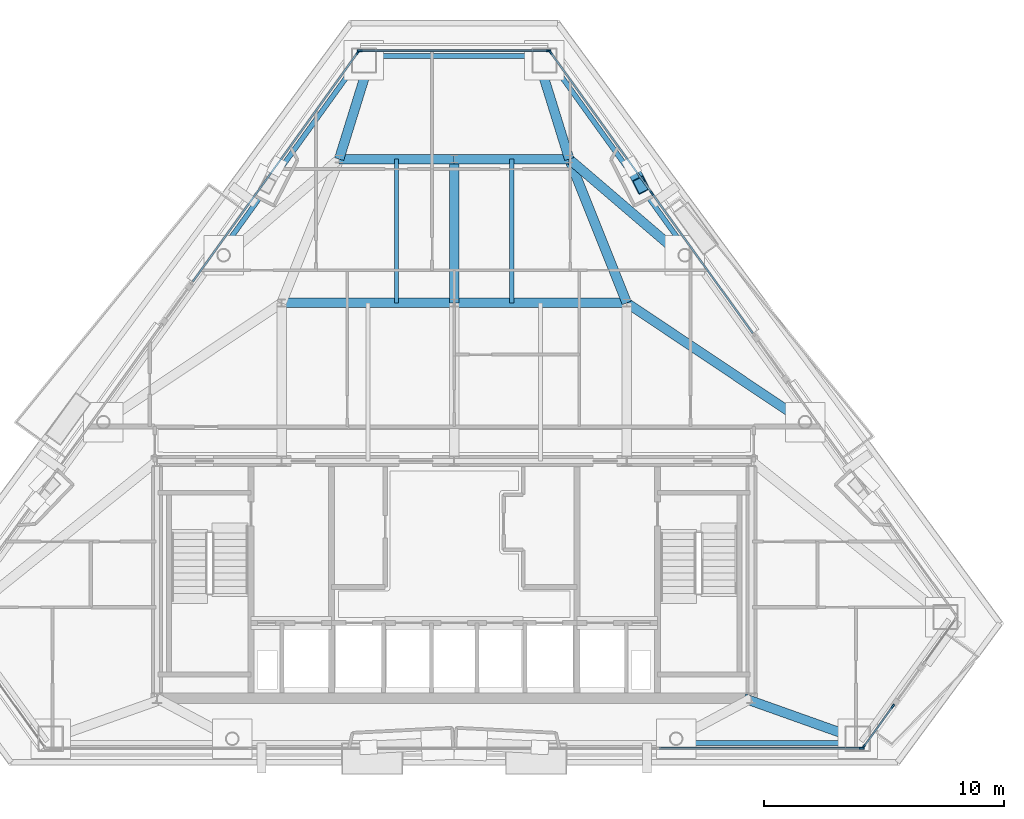
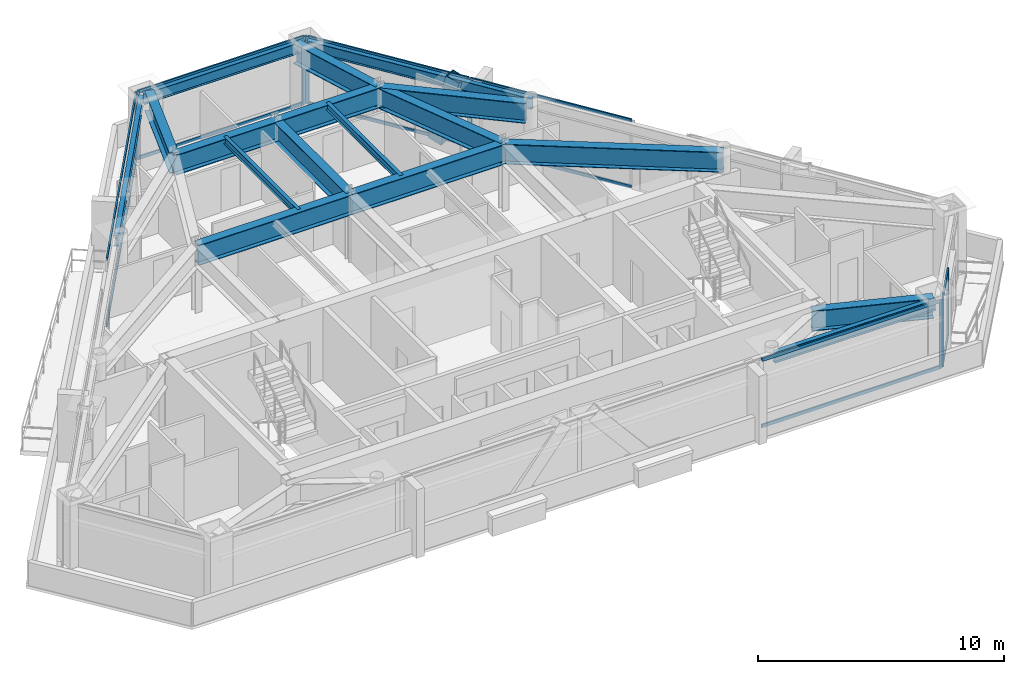
# One storey, part 4 of 11: 21 members, 17 beams, 5 elements without a shape of their own.
"""IFC4 building model written with IfcOpenShell, lengths in metres."""

from ifc_helpers import new_model, si_unit, direction, frame, origin, origin_2d, place, context, subcontext, project, spatial, rectangle, hollow_rectangle, i_section, extrude, material, layer, layer_set, material_profile, profile_set, type_object, element, aggregate, save


model = new_model("IFC4")

# Units and contexts
model_context = context("Model", 3, precision=1e-05, world=origin(), true_north=direction((0.0, 1.0)))
body_context = subcontext(model_context, "Body", "Model", "MODEL_VIEW")
ifc_project = project(units=[si_unit("LENGTHUNIT", "METRE"), si_unit("AREAUNIT", "SQUARE_METRE"), si_unit("VOLUMEUNIT", "CUBIC_METRE"), si_unit("PLANEANGLEUNIT", "RADIAN"), si_unit("MASSUNIT", "GRAM", prefix="KILO")], contexts=[model_context])

# Site, building, storey
site_placement = place(None, origin())
site = spatial("IfcSite", under=ifc_project, at=site_placement, CompositionType="ELEMENT")
building_placement = place(site_placement, origin())
building = spatial("IfcBuilding", under=site, at=building_placement, Name="Talgorran Terracotta Tower", CompositionType="ELEMENT")
storey_placement = place(building_placement, frame((0.0, 0.0, 185.699951171875)))
storey = spatial("IfcBuildingStorey", under=building, at=storey_placement, Name="L48", CompositionType="ELEMENT", Elevation=185.699951171875)

# Beams
ifc_material_1 = material(Name="Steel Grade 350 (350L0)", Category="steel")
ifc_material_profile_1 = material_profile(ifc_material_1, i_section(OverallWidth=0.39990234375, OverallDepth=1.0, WebThickness=0.01611328125, FlangeThickness=0.031005859375, at=origin_2d()), Name="1000WB296")
ifc_profile_set_1 = profile_set([ifc_material_profile_1], Name="Steel Grade 350 (350L0)")
beam_type_1 = type_object("IfcBeamType", Name="BM_1000WB296", PredefinedType="BEAM", material=ifc_profile_set_1)
beam_1_placement = place(storey_placement, frame((16.8359375, -15.78564453125, 2.85009765625), z_axis=(-0.942108352664, 0.335308591958, 0.0), x_axis=(-0.335308591958, -0.942108352664, 0.0)))
element("IfcBeam", 1, at=beam_1_placement, inside=storey, type_object=beam_type_1, Name="L48 Perimeter Step Girder 5", PredefinedType="BEAM", context=body_context, shape_type="SweptSolid", body=[
    extrude(i_section(OverallWidth=0.39990234375, OverallDepth=1.0, WebThickness=0.01611328125, FlangeThickness=0.031005859375, at=origin_2d()), origin(), (0.0, 0.0, 1.0), 5.02685546875),
])
for number, where, z_axis, x_axis, name in (
    (2, (3.4521484375, 12.73876953125, 2.85009765625), (0.296671316766, -0.954979648898, 0.0), (0.954979648898, 0.296671316766, 0.0), "L48 Perimeter Step Girder 9B"),
    (3, (-3.4521484375, 12.73876953125, 2.85009765625), (-0.296671316766, -0.954979648898, 0.0), (0.954979648898, -0.296671316766, 0.0), "L48 Perimeter Step Girder 10B"),
):
    element("IfcBeam", number, at=place(storey_placement, frame(where, z_axis=z_axis, x_axis=x_axis)), inside=storey, type_object=beam_type_1, Name=name, PredefinedType="BEAM", context=body_context, shape_type="SweptSolid", body=[
        extrude(i_section(OverallWidth=0.39990234375, OverallDepth=1.0, WebThickness=0.01611328125, FlangeThickness=0.031005859375, at=origin_2d()), origin(), (0.0, 0.0, 1.0), 4.54345703125),
    ])
for number, where, z_axis, x_axis, name in (
    (4, (-7.199951171875, 2.39990234375, 2.85009765625), (1.0, 0.0, 0.0), (0.0, 1.0, 0.0), "L48 Floor Girder G04"),
    (5, (0.0, 2.39990234375, 2.85009765625), (1.0, 0.0, 0.0), (0.0, 1.0, 0.0), "L48 Floor Girder G05"),
):
    element("IfcBeam", number, at=place(storey_placement, frame(where, z_axis=z_axis, x_axis=x_axis)), inside=storey, type_object=beam_type_1, Name=name, PredefinedType="BEAM", context=body_context, shape_type="SweptSolid", body=[
        extrude(i_section(OverallWidth=0.39990234375, OverallDepth=1.0, WebThickness=0.01611328125, FlangeThickness=0.031005859375, at=origin_2d()), origin(), (0.0, 0.0, 1.0), 7.199951171875),
    ])
beam_2_placement = place(storey_placement, frame((7.199951171875, 2.39990234375, 2.85009765625), z_axis=(0.831121722878, -0.556090533781, 0.0), x_axis=(0.556090533781, 0.831121722878, 0.0)))
element("IfcBeam", 6, at=beam_2_placement, inside=storey, type_object=beam_type_1, Name="L48 Floor Girder G07", PredefinedType="BEAM", context=body_context, shape_type="SweptSolid", body=[
    extrude(i_section(OverallWidth=0.39990234375, OverallDepth=1.0, WebThickness=0.01611328125, FlangeThickness=0.031005859375, at=origin_2d()), origin(), (0.0, 0.0, 1.0), 8.950439453125),
])
beam_3_placement = place(storey_placement, frame((0.0, 2.39990234375, 2.85009765625), z_axis=(0.0, 1.0, 0.0), x_axis=(-1.0, 0.0, 0.0)))
element("IfcBeam", 7, at=beam_3_placement, inside=storey, type_object=beam_type_1, Name="L48 Floor Girder G09", PredefinedType="BEAM", context=body_context, shape_type="SweptSolid", body=[
    extrude(i_section(OverallWidth=0.39990234375, OverallDepth=1.0, WebThickness=0.01611328125, FlangeThickness=0.031005859375, at=origin_2d()), origin(), (0.0, 0.0, 1.0), 6.0),
])
beam_4_placement = place(storey_placement, frame((7.199951171875, 2.39990234375, 2.85009765625), z_axis=(-0.371377648723, 0.928481901832, 0.0), x_axis=(-0.928481901832, -0.371377648723, 0.0)))
element("IfcBeam", 8, at=beam_4_placement, inside=storey, type_object=beam_type_1, Name="L48 Floor Girder G10", PredefinedType="BEAM", context=body_context, shape_type="SweptSolid", body=[
    extrude(i_section(OverallWidth=0.39990234375, OverallDepth=1.0, WebThickness=0.01611328125, FlangeThickness=0.031005859375, at=origin_2d()), origin(), (0.0, 0.0, 1.0), 6.462158203125),
])
for number, where, z_axis, x_axis, name in (
    (9, (-4.800048828125, 8.39990234375, 2.85009765625), (1.0, 0.0, 0.0), (0.0, 1.0, 0.0), "L48 Floor Girder G11"),
    (10, (0.0, 8.39990234375, 2.85009765625), (1.0, 0.0, 0.0), (0.0, 1.0, 0.0), "L48 Floor Girder G12"),
):
    element("IfcBeam", number, at=place(storey_placement, frame(where, z_axis=z_axis, x_axis=x_axis)), inside=storey, type_object=beam_type_1, Name=name, PredefinedType="BEAM", context=body_context, shape_type="SweptSolid", body=[
        extrude(i_section(OverallWidth=0.39990234375, OverallDepth=1.0, WebThickness=0.01611328125, FlangeThickness=0.031005859375, at=origin_2d()), origin(), (0.0, 0.0, 1.0), 4.800048828125),
    ])
beam_5_placement = place(storey_placement, frame((4.800048828125, 8.39990234375, 2.85009765625), z_axis=(0.75920570373, -0.650850750499, 0.0), x_axis=(0.650850750499, 0.75920570373, 0.0)))
element("IfcBeam", 11, at=beam_5_placement, inside=storey, type_object=beam_type_1, Name="L48 Floor Girder G14", PredefinedType="BEAM", context=body_context, shape_type="SweptSolid", body=[
    extrude(i_section(OverallWidth=0.39990234375, OverallDepth=1.0, WebThickness=0.01611328125, FlangeThickness=0.031005859375, at=origin_2d()), origin(), (0.0, 0.0, 1.0), 6.0947265625),
])
ifc_material_2 = material(Name="Steel S355 (300PLUS)", Category="steel")
ifc_material_profile_2 = material_profile(ifc_material_2, i_section(OverallWidth=0.17138671875, OverallDepth=0.355712890625, WebThickness=0.00732421875, FlangeThickness=0.011474609375, at=origin_2d()), Name="360UB50.7")
ifc_profile_set_2 = profile_set([ifc_material_profile_2], Name="Steel S355 (300PLUS)")
beam_type_2 = type_object("IfcBeamType", Name="BM_JS_360UB51", PredefinedType="JOIST", material=ifc_profile_set_2)
for number, where, z_axis, x_axis, name in (
    (12, (-2.39990234375, 2.39990234375, 3.17236328125), (0.0, 1.0, 0.0), (-1.0, 0.0, 0.0), "L48 Secondary Joist J03"),
    (13, (2.39990234375, 2.39990234375, 3.17236328125), (0.0, 1.0, 0.0), (-1.0, 0.0, 0.0), "L48 Secondary Joist J04"),
):
    element("IfcBeam", number, at=place(storey_placement, frame(where, z_axis=z_axis, x_axis=x_axis)), inside=storey, type_object=beam_type_2, Name=name, PredefinedType="JOIST", context=body_context, shape_type="SweptSolid", body=[
        extrude(i_section(OverallWidth=0.17138671875, OverallDepth=0.355712890625, WebThickness=0.00732421875, FlangeThickness=0.011474609375, at=origin_2d()), origin(), (0.0, 0.0, 1.0), 6.0),
    ])
ifc_material_profile_3 = material_profile(ifc_material_2, i_section(OverallWidth=0.209228515625, OverallDepth=0.532958984375, WebThickness=0.01025390625, FlangeThickness=0.015625, at=origin_2d()), Name="530UB92.4")
ifc_profile_set_3 = profile_set([ifc_material_profile_3], Name="Steel S355 (300PLUS)")
beam_type_3 = type_object("IfcBeamType", Name="BM_SP_530UB92", PredefinedType="SPANDREL", material=ifc_profile_set_3)
beam_6_placement = place(storey_placement, frame((9.259765625, -15.965576171875, 3.08349609375), z_axis=(1.0, 0.0, 0.0), x_axis=(0.0, 1.0, 0.0)))
element("IfcBeam", 14, at=beam_6_placement, inside=storey, type_object=beam_type_3, Name="L48 Perimeter Spandrel Beam FC2-MC3", PredefinedType="SPANDREL", context=body_context, shape_type="SweptSolid", body=[
    extrude(i_section(OverallWidth=0.209228515625, OverallDepth=0.532958984375, WebThickness=0.01025390625, FlangeThickness=0.015625, at=origin_2d()), origin(), (0.0, 0.0, 1.0), 7.576171875),
])
beam_7_placement = place(storey_placement, frame((9.7666015625, 4.495849609375, 3.08349609375), z_axis=(-0.584392033232, 0.811471473001, 0.0), x_axis=(-0.811471473001, -0.584392033232, 0.0)))
element("IfcBeam", 15, at=beam_7_placement, inside=storey, type_object=beam_type_3, Name="L48 Perimeter Spandrel Beam FC4-MC5", PredefinedType="SPANDREL", context=body_context, shape_type="SweptSolid", body=[
    extrude(i_section(OverallWidth=0.209228515625, OverallDepth=0.532958984375, WebThickness=0.01025390625, FlangeThickness=0.015625, at=origin_2d()), origin(), (0.0, 0.0, 1.0), 10.01806640625),
])
beam_8_placement = place(storey_placement, frame((3.765869140625, 12.7001953125, 3.08349609375), z_axis=(-1.0, 0.0, 0.0), x_axis=(0.0, -1.0, 0.0)))
element("IfcBeam", 16, at=beam_8_placement, inside=storey, type_object=beam_type_3, Name="L48 Perimeter Spandrel Beam MC5-MC6", PredefinedType="SPANDREL", context=body_context, shape_type="SweptSolid", body=[
    extrude(i_section(OverallWidth=0.209228515625, OverallDepth=0.532958984375, WebThickness=0.01025390625, FlangeThickness=0.015625, at=origin_2d()), origin(), (0.0, 0.0, 1.0), 7.53173828125),
])
beam_9_placement = place(storey_placement, frame((-3.912109375, 12.625244140625, 3.08349609375), z_axis=(-0.584392033232, -0.811471473001, 0.0), x_axis=(0.811471473001, -0.584392033232, 0.0)))
element("IfcBeam", 17, at=beam_9_placement, inside=storey, type_object=beam_type_3, Name="L48 Perimeter Spandrel Beam MC6-FC5", PredefinedType="SPANDREL", context=body_context, shape_type="SweptSolid", body=[
    extrude(i_section(OverallWidth=0.209228515625, OverallDepth=0.532958984375, WebThickness=0.01025390625, FlangeThickness=0.015625, at=origin_2d()), origin(), (0.0, 0.0, 1.0), 10.01806640625),
])

# Member
ifc_material_profile_4 = material_profile(ifc_material_1, hollow_rectangle(XDim=0.52001953125, YDim=0.659912109375, WallThickness=0.034912109375, at=origin_2d()), Name="WBOX660X520X35")
ifc_profile_set_4 = profile_set([ifc_material_profile_4], Name="Steel Grade 350 (350L0)")
member_type_1 = type_object("IfcMemberType", Name="MB_MEGA_660", PredefinedType="BRACE", material=ifc_profile_set_4)
member_1_placement = place(storey_placement, frame((7.398681640625, 8.092041015625, -0.02490234375), z_axis=(0.113176966162, -0.220858554127, 0.96871692119), x_axis=(0.889954581709, 0.456049166753, 0.0)))
element("IfcMember", 18, at=member_1_placement, inside=storey, type_object=member_type_1, Name="L48 Exterior Face Mega-Brace MB-3 (NEU)", PredefinedType="BRACE", context=body_context, shape_type="SweptSolid", body=[
    extrude(hollow_rectangle(XDim=0.52001953125, YDim=0.659912109375, WallThickness=0.034912109375, at=origin_2d()), origin(), (0.0, 0.0, 1.0), 3.509765625),
])

# Curtain wall, member
ifc_material_3 = material(Name="High-Wind Unitised Glazing", Category="glass")
ifc_layer = layer(ifc_material_3, 0.2099609375, Name="CW_SYS3_RES_HIGH")
ifc_layer_set = layer_set([ifc_layer], Name="High-Wind Unitised Glazing")
curtain_wall_type = type_object("IfcCurtainWallType", Name="CW_SYS3_RES_HIGH", PredefinedType="NOTDEFINED", material=ifc_layer_set)
curtain_wall_1_placement = place(storey_placement, origin())
curtain_wall_1 = element("IfcCurtainWall", 19, at=curtain_wall_1_placement, inside=storey, type_object=curtain_wall_type, Name="CW-L48-F1", PredefinedType="NOTDEFINED")
ifc_material_4 = material(Name="Architectural Aluminium 6063-T6", Category="aluminium")
ifc_material_profile_5 = material_profile(ifc_material_4, rectangle(XDim=0.070068359375, YDim=0.199951171875, at=origin_2d()), Name="CWM70X200")
ifc_profile_set_5 = profile_set([ifc_material_profile_5], Name="Architectural Aluminium 6063-T6")
member_type_2 = type_object("IfcMemberType", Name="MUL_70X200", PredefinedType="MULLION", material=ifc_profile_set_5)
member_2_placement = place(storey_placement, frame((17.005859375, -16.185546875, 0.0), z_axis=(0.0, 0.0, 1.0), x_axis=(0.0, 1.0, 0.0)))
member_2 = element("IfcMember", 20, at=member_2_placement, type_object=member_type_2, Name="CW-L48-1 mullion 5", PredefinedType="MULLION", context=body_context, shape_type="SweptSolid", body=[
    extrude(rectangle(XDim=0.070068359375, YDim=0.199951171875, at=origin_2d()), origin(), (0.0, 0.0, 1.0), 3.35009765625),
])

# Curtain wall, members
curtain_wall_2_placement = place(storey_placement, origin())
curtain_wall_2 = element("IfcCurtainWall", 21, at=curtain_wall_2_placement, inside=storey, type_object=curtain_wall_type, Name="CW-L48-F30", PredefinedType="NOTDEFINED")
member_3_placement = place(storey_placement, frame((17.084716796875, -16.124755859375, 0.0), z_axis=(0.0, 0.0, 1.0), x_axis=(-0.811466462754, 0.584398990267, 0.0)))
member_3 = element("IfcMember", 22, at=member_3_placement, type_object=member_type_2, Name="CW-L48-30 mullion 1", PredefinedType="MULLION", context=body_context, shape_type="SweptSolid", body=[
    extrude(rectangle(XDim=0.070068359375, YDim=0.199951171875, at=origin_2d()), origin(), (0.0, 0.0, 1.0), 3.35009765625),
])
member_4_placement = place(storey_placement, frame((18.30126953125, -14.435302734375, 0.0), z_axis=(0.0, 0.0, 1.0), x_axis=(-0.811466462754, 0.584398990267, 0.0)))
member_4 = element("IfcMember", 23, at=member_4_placement, type_object=member_type_2, Name="CW-L48-30 mullion 2", PredefinedType="MULLION", context=body_context, shape_type="SweptSolid", body=[
    extrude(rectangle(XDim=0.070068359375, YDim=0.199951171875, at=origin_2d()), origin(), (0.0, 0.0, 1.0), 3.35009765625),
])

curtain_wall_3_placement = place(storey_placement, origin())
curtain_wall_3 = element("IfcCurtainWall", 24, at=curtain_wall_3_placement, inside=storey, type_object=curtain_wall_type, Name="CW-L48-F41", PredefinedType="NOTDEFINED")
member_5_placement = place(storey_placement, frame((8.248046875, 6.981201171875, 0.0), z_axis=(0.0, 0.0, 1.0), x_axis=(-0.811458114697, -0.584410581777, 0.0)))
member_5 = element("IfcMember", 25, at=member_5_placement, type_object=member_type_2, Name="CW-L48-41 mullion 2", PredefinedType="MULLION", context=body_context, shape_type="SweptSolid", body=[
    extrude(rectangle(XDim=0.070068359375, YDim=0.199951171875, at=origin_2d()), origin(), (0.0, 0.0, 1.0), 3.35009765625),
])
member_6_placement = place(storey_placement, frame((4.0146484375, 12.859130859375, 0.0), z_axis=(0.0, 0.0, 1.0), x_axis=(-0.811458114697, -0.584410581777, 0.0)))
member_6 = element("IfcMember", 26, at=member_6_placement, type_object=member_type_2, Name="CW-L48-41 mullion 3", PredefinedType="MULLION", context=body_context, shape_type="SweptSolid", body=[
    extrude(rectangle(XDim=0.070068359375, YDim=0.199951171875, at=origin_2d()), origin(), (0.0, 0.0, 1.0), 3.35009765625),
])

curtain_wall_4_placement = place(storey_placement, origin())
curtain_wall_4 = element("IfcCurtainWall", 27, at=curtain_wall_4_placement, inside=storey, type_object=curtain_wall_type, Name="CW-L48-F4", PredefinedType="NOTDEFINED")
member_7_placement = place(storey_placement, frame((3.935791015625, 12.920166015625, 0.0), z_axis=(0.0, 0.0, 1.0), x_axis=(0.0, -1.0, 0.0)))
member_7 = element("IfcMember", 28, at=member_7_placement, type_object=member_type_2, Name="CW-L48-4 mullion 1", PredefinedType="MULLION", context=body_context, shape_type="SweptSolid", body=[
    extrude(rectangle(XDim=0.070068359375, YDim=0.199951171875, at=origin_2d()), origin(), (0.0, 0.0, 1.0), 3.35009765625),
])
member_8_placement = place(storey_placement, frame((-3.935791015625, 12.920166015625, 0.0), z_axis=(0.0, 0.0, 1.0), x_axis=(0.0, -1.0, 0.0)))
member_8 = element("IfcMember", 29, at=member_8_placement, type_object=member_type_2, Name="CW-L48-4 mullion 2", PredefinedType="MULLION", context=body_context, shape_type="SweptSolid", body=[
    extrude(rectangle(XDim=0.070068359375, YDim=0.199951171875, at=origin_2d()), origin(), (0.0, 0.0, 1.0), 3.35009765625),
])

# Curtain wall, member
curtain_wall_5_placement = place(storey_placement, origin())
curtain_wall_5 = element("IfcCurtainWall", 30, at=curtain_wall_5_placement, inside=storey, type_object=curtain_wall_type, Name="CW-L48-F60", PredefinedType="NOTDEFINED")
member_9_placement = place(storey_placement, frame((-4.0146484375, 12.859130859375, 0.0), z_axis=(0.0, 0.0, 1.0), x_axis=(0.811462947376, -0.584403871509, 0.0)))
member_9 = element("IfcMember", 31, at=member_9_placement, type_object=member_type_2, Name="CW-L48-60 mullion 1", PredefinedType="MULLION", context=body_context, shape_type="SweptSolid", body=[
    extrude(rectangle(XDim=0.070068359375, YDim=0.199951171875, at=origin_2d()), origin(), (0.0, 0.0, 1.0), 3.35009765625),
])

# Member
ifc_material_profile_6 = material_profile(ifc_material_4, rectangle(XDim=0.070068359375, YDim=0.159912109375, at=origin_2d()), Name="CWT70X160")
ifc_profile_set_6 = profile_set([ifc_material_profile_6], Name="Architectural Aluminium 6063-T6")
member_type_3 = type_object("IfcMemberType", Name="TRN_70X160", PredefinedType="USERDEFINED", material=ifc_profile_set_6)
member_10_placement = place(storey_placement, frame((8.555419921875, -16.185546875, 0.03515625), z_axis=(1.0, 0.0, 0.0), x_axis=(0.0, 1.0, 0.0)))
member_10 = element("IfcMember", 32, at=member_10_placement, type_object=member_type_3, Name="CW-L48-1 transom 4.1", ObjectType="TRANSOM", PredefinedType="USERDEFINED", context=body_context, shape_type="SweptSolid", body=[
    extrude(rectangle(XDim=0.070068359375, YDim=0.159912109375, at=origin_2d()), origin(), (0.0, 0.0, 1.0), 8.415283203125),
])

member_11_placement = place(storey_placement, frame((8.555419921875, -16.185546875, 3.31494140625), z_axis=(1.0, 0.0, 0.0), x_axis=(0.0, 1.0, 0.0)))
member_11 = element("IfcMember", 33, at=member_11_placement, type_object=member_type_3, Name="CW-L48-1 transom 4.2", ObjectType="TRANSOM", PredefinedType="USERDEFINED", context=body_context, shape_type="SweptSolid", body=[
    extrude(rectangle(XDim=0.070068359375, YDim=0.159912109375, at=origin_2d()), origin(), (0.0, 0.0, 1.0), 8.415283203125),
])

aggregate(curtain_wall_1, [member_2, member_10, member_11])

member_12_placement = place(storey_placement, frame((17.105224609375, -16.09619140625, 0.03515625), z_axis=(0.584391049177, 0.811472181681, 0.0), x_axis=(-0.811472181681, 0.584391049177, 0.0)))
member_12 = element("IfcMember", 34, at=member_12_placement, type_object=member_type_3, Name="CW-L48-30 transom 1.1", ObjectType="TRANSOM", PredefinedType="USERDEFINED", context=body_context, shape_type="SweptSolid", body=[
    extrude(rectangle(XDim=0.070068359375, YDim=0.159912109375, at=origin_2d()), origin(), (0.0, 0.0, 1.0), 2.011474609375),
])

member_13_placement = place(storey_placement, frame((17.105224609375, -16.09619140625, 3.31494140625), z_axis=(0.584391049177, 0.811472181681, 0.0), x_axis=(-0.811472181681, 0.584391049177, 0.0)))
member_13 = element("IfcMember", 35, at=member_13_placement, type_object=member_type_3, Name="CW-L48-30 transom 1.2", ObjectType="TRANSOM", PredefinedType="USERDEFINED", context=body_context, shape_type="SweptSolid", body=[
    extrude(rectangle(XDim=0.070068359375, YDim=0.159912109375, at=origin_2d()), origin(), (0.0, 0.0, 1.0), 2.011474609375),
])

aggregate(curtain_wall_2, [member_3, member_4, member_12, member_13])

member_14_placement = place(storey_placement, frame((12.4609375, 1.13134765625, 0.03515625), z_axis=(-0.584423955505, 0.811448482796, 0.0), x_axis=(-0.811448482796, -0.584423955505, 0.0)))
member_14 = element("IfcMember", 36, at=member_14_placement, type_object=member_type_3, Name="CW-L48-41 transom 1.1", ObjectType="TRANSOM", PredefinedType="USERDEFINED", context=body_context, shape_type="SweptSolid", body=[
    extrude(rectangle(XDim=0.070068359375, YDim=0.159912109375, at=origin_2d()), origin(), (0.0, 0.0, 1.0), 7.173828125),
])

member_15_placement = place(storey_placement, frame((12.4609375, 1.13134765625, 3.31494140625), z_axis=(-0.584423955505, 0.811448482796, 0.0), x_axis=(-0.811448482796, -0.584423955505, 0.0)))
member_15 = element("IfcMember", 37, at=member_15_placement, type_object=member_type_3, Name="CW-L48-41 transom 1.2", ObjectType="TRANSOM", PredefinedType="USERDEFINED", context=body_context, shape_type="SweptSolid", body=[
    extrude(rectangle(XDim=0.070068359375, YDim=0.159912109375, at=origin_2d()), origin(), (0.0, 0.0, 1.0), 7.173828125),
])

member_16_placement = place(storey_placement, frame((8.2275390625, 7.009521484375, 0.03515625), z_axis=(-0.584423955505, 0.811448482796, 0.0), x_axis=(-0.811448482796, -0.584423955505, 0.0)))
member_16 = element("IfcMember", 38, at=member_16_placement, type_object=member_type_3, Name="CW-L48-41 transom 2.1", ObjectType="TRANSOM", PredefinedType="USERDEFINED", context=body_context, shape_type="SweptSolid", body=[
    extrude(rectangle(XDim=0.070068359375, YDim=0.159912109375, at=origin_2d()), origin(), (0.0, 0.0, 1.0), 7.173828125),
])

member_17_placement = place(storey_placement, frame((8.2275390625, 7.009521484375, 3.31494140625), z_axis=(-0.584423955505, 0.811448482796, 0.0), x_axis=(-0.811448482796, -0.584423955505, 0.0)))
member_17 = element("IfcMember", 39, at=member_17_placement, type_object=member_type_3, Name="CW-L48-41 transom 2.2", ObjectType="TRANSOM", PredefinedType="USERDEFINED", context=body_context, shape_type="SweptSolid", body=[
    extrude(rectangle(XDim=0.070068359375, YDim=0.159912109375, at=origin_2d()), origin(), (0.0, 0.0, 1.0), 7.173828125),
])

aggregate(curtain_wall_3, [member_5, member_6, member_14, member_15, member_16, member_17])

member_18_placement = place(storey_placement, frame((3.900634765625, 12.920166015625, 0.03515625), z_axis=(-1.0, 0.0, 0.0), x_axis=(0.0, -1.0, 0.0)))
member_18 = element("IfcMember", 40, at=member_18_placement, type_object=member_type_3, Name="CW-L48-4 transom 1.1", ObjectType="TRANSOM", PredefinedType="USERDEFINED", context=body_context, shape_type="SweptSolid", body=[
    extrude(rectangle(XDim=0.070068359375, YDim=0.159912109375, at=origin_2d()), origin(), (0.0, 0.0, 1.0), 7.80126953125),
])

member_19_placement = place(storey_placement, frame((3.900634765625, 12.920166015625, 3.31494140625), z_axis=(-1.0, 0.0, 0.0), x_axis=(0.0, -1.0, 0.0)))
member_19 = element("IfcMember", 41, at=member_19_placement, type_object=member_type_3, Name="CW-L48-4 transom 1.2", ObjectType="TRANSOM", PredefinedType="USERDEFINED", context=body_context, shape_type="SweptSolid", body=[
    extrude(rectangle(XDim=0.070068359375, YDim=0.159912109375, at=origin_2d()), origin(), (0.0, 0.0, 1.0), 7.80126953125),
])

aggregate(curtain_wall_4, [member_7, member_8, member_18, member_19])

member_20_placement = place(storey_placement, frame((-4.034912109375, 12.830810546875, 0.03515625), z_axis=(-0.58440641633, -0.811461114627, 0.0), x_axis=(0.811461114627, -0.58440641633, 0.0)))
member_20 = element("IfcMember", 42, at=member_20_placement, type_object=member_type_3, Name="CW-L48-60 transom 1.1", ObjectType="TRANSOM", PredefinedType="USERDEFINED", context=body_context, shape_type="SweptSolid", body=[
    extrude(rectangle(XDim=0.070068359375, YDim=0.159912109375, at=origin_2d()), origin(), (0.0, 0.0, 1.0), 11.76318359375),
])

member_21_placement = place(storey_placement, frame((-4.034912109375, 12.830810546875, 3.31494140625), z_axis=(-0.58440641633, -0.811461114627, 0.0), x_axis=(0.811461114627, -0.58440641633, 0.0)))
member_21 = element("IfcMember", 43, at=member_21_placement, type_object=member_type_3, Name="CW-L48-60 transom 1.2", ObjectType="TRANSOM", PredefinedType="USERDEFINED", context=body_context, shape_type="SweptSolid", body=[
    extrude(rectangle(XDim=0.070068359375, YDim=0.159912109375, at=origin_2d()), origin(), (0.0, 0.0, 1.0), 11.76318359375),
])

aggregate(curtain_wall_5, [member_9, member_20, member_21])

save(model, "model.ifc")
